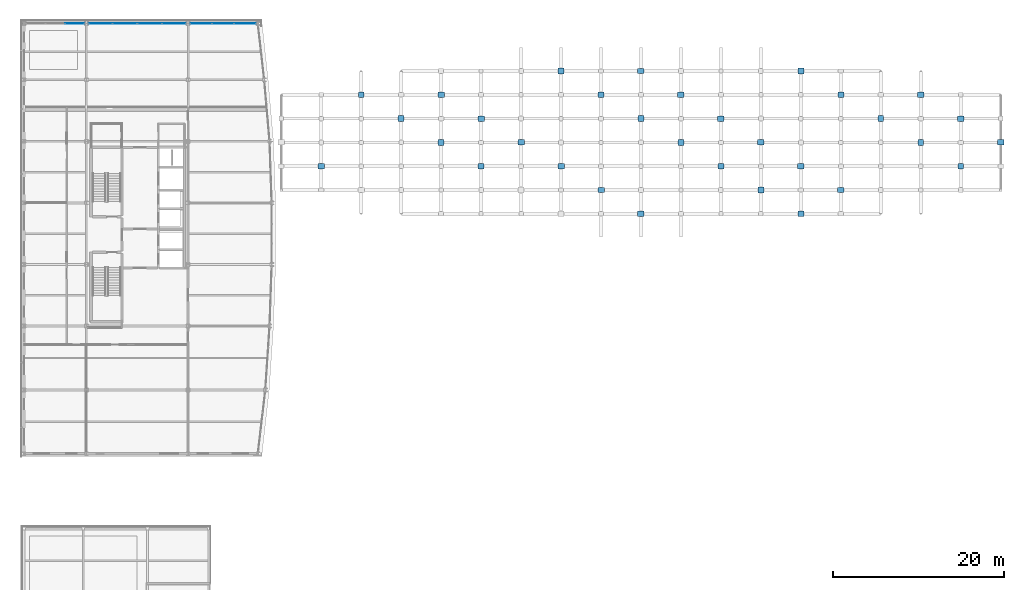
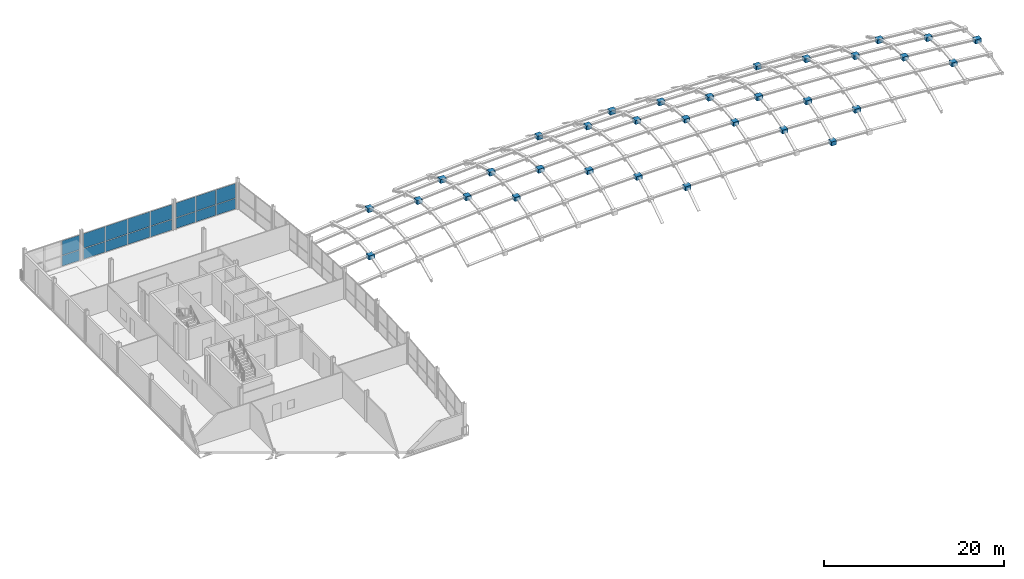
# One storey, part 21 of 36: 48 plates, 3 elements without a shape of their own.
"""IFC4 building model written with IfcOpenShell, lengths in metres."""

from ifc_helpers import new_model, si_unit, direction, frame, origin, origin_2d, place, context, subcontext, project, spatial, rectangle, extrude, material, layer, layer_set, type_object, element, aggregate, save


model = new_model("IFC4")

# Units and contexts
model_context = context("Model", 3, precision=1e-05, world=origin(), true_north=direction((0.0, 1.0)))
body_context = subcontext(model_context, "Body", "Model", "MODEL_VIEW")
ifc_project = project(units=[si_unit("LENGTHUNIT", "METRE"), si_unit("AREAUNIT", "SQUARE_METRE"), si_unit("VOLUMEUNIT", "CUBIC_METRE"), si_unit("PLANEANGLEUNIT", "RADIAN"), si_unit("MASSUNIT", "GRAM", prefix="KILO")], contexts=[model_context])

# Site, building, storey
site_placement = place(None, origin())
site = spatial("IfcSite", under=ifc_project, at=site_placement, CompositionType="ELEMENT")
building_placement = place(site_placement, origin())
building = spatial("IfcBuilding", under=site, at=building_placement, Name="Quillay Park Conservatory", CompositionType="ELEMENT")
storey_placement = place(building_placement, frame((0.0, 0.0, 18.300048828125)))
storey = spatial("IfcBuildingStorey", under=building, at=storey_placement, Name="L04", CompositionType="ELEMENT", Elevation=18.300048828125)

# Plates
ifc_material_1 = material(Name="Steel S355J2H", Category="steel")
ifc_layer_1 = layer(ifc_material_1, 0.0439453125)
ifc_layer_set_1 = layer_set([ifc_layer_1], Name="BOLTED GUSSET NODE PLATE GN04 (Steel S355J2H)")
plate_type_1 = type_object("IfcPlateType", Name="BOLTED GUSSET NODE PLATE GN04", PredefinedType="USERDEFINED", material=ifc_layer_set_1)
for number, where, z_axis, x_axis, name in (
    (1, (40.005615234375, 105.044921875, 0.5537109375), (0.0, 0.0, 1.0), (1.0, 0.0, 0.0), "Conservatory gridshell star node GN04 (2,7)"),
    (2, (44.683349609375, 102.260009765625, 1.7138671875), (0.0, 0.0, 1.0), (1.0, 0.0, 0.0), "Conservatory gridshell star node GN04 (3,6)"),
    (3, (49.361083984375, 99.47509765625, 2.2802734375), (0.0, 0.0, 1.0), (1.0, 0.0, 0.0), "Conservatory gridshell star node GN04 (4,5)"),
    (4, (54.038818359375, 96.68994140625, 2.2490234375), (0.0, 0.0, 1.0), (1.0, 0.0, 0.0), "Conservatory gridshell star node GN04 (5,4)"),
    (5, (63.394287109375, 107.830078125, 0.5419921875), (0.0, 0.0, 1.0), (1.0, 0.0, 0.0), "Conservatory gridshell star node GN04 (7,8)"),
    (6, (68.072265625, 105.044921875, 1.9521484375), (0.0, 0.0, 1.0), (1.0, 0.0, 0.0), "Conservatory gridshell star node GN04 (8,7)"),
    (7, (72.75, 102.260009765625, 2.7646484375), (0.0, 0.0, 1.0), (1.0, 0.0, 0.0), "Conservatory gridshell star node GN04 (9,6)"),
    (8, (77.427734375, 99.47509765625, 2.9794921875), (0.0, 0.0, 1.0), (1.0, 0.0, 0.0), "Conservatory gridshell star node GN04 (10,5)"),
    (9, (82.105712890625, 96.68994140625, 2.6005859375), (0.0, 0.0, 1.0), (1.0, 0.0, 0.0), "Conservatory gridshell star node GN04 (11,4)"),
    (10, (86.783203125, 93.905029296875, 1.6201171875), (0.0, 0.0, 1.0), (1.0, 0.0, 0.0), "Conservatory gridshell star node GN04 (12,3)"),
    (11, (91.461181640625, 91.1201171875, 0.0458984375), (0.0, 0.0, 1.0), (1.0, 0.0, 0.0), "Conservatory gridshell star node GN04 (13,2)"),
    (12, (91.461181640625, 107.830078125, 0.1904296875), (0.0, 0.0, 1.0), (1.0, 0.0, 0.0), "Conservatory gridshell star node GN04 (13,8)"),
    (13, (96.138916015625, 105.044921875, 1.2529296875), (0.0, 0.0, 1.0), (1.0, 0.0, 0.0), "Conservatory gridshell star node GN04 (14,7)"),
    (14, (100.816650390625, 102.260009765625, 1.7138671875), (0.0, 0.0, 1.0), (1.0, 0.0, 0.0), "Conservatory gridshell star node GN04 (15,6)"),
    (15, (105.494384765625, 99.47509765625, 1.5810546875), (0.0, 0.0, 1.0), (1.0, 0.0, 0.0), "Conservatory gridshell star node GN04 (16,5)"),
    (16, (110.172119140625, 96.68994140625, 0.8505859375), (0.0, 0.0, 1.0), (1.0, 0.0, 0.0), "Conservatory gridshell star node GN04 (17,4)"),
):
    element("IfcPlate", number, at=place(storey_placement, frame(where, z_axis=z_axis, x_axis=x_axis)), inside=storey, type_object=plate_type_1, Name=name, ObjectType="GUSSET PLATE", PredefinedType="USERDEFINED", context=body_context, shape_type="SweptSolid", body=[
        extrude(rectangle(XDim=0.679931640625, YDim=0.679931640625, at=origin_2d()), origin(), (0.0, 0.0, 1.0), 0.5400390625),
    ])
ifc_material_2 = material(Name="Steel S355J2H", Category="steel")
ifc_layer_2 = layer(ifc_material_2, 0.052001953125)
ifc_layer_set_2 = layer_set([ifc_layer_2], Name="BOLTED GUSSET NODE PLATE GN06 (Steel S355J2H)")
plate_type_2 = type_object("IfcPlateType", Name="BOLTED GUSSET NODE PLATE GN06", PredefinedType="USERDEFINED", material=ifc_layer_set_2)
for number, where, z_axis, x_axis, name in (
    (17, (35.327880859375, 96.68994140625, 0.8505859375), (0.0, 0.0, 1.0), (1.0, 0.0, 0.0), "Conservatory gridshell star node GN06 (1,4)"),
    (18, (49.361083984375, 105.044921875, 1.2529296875), (0.0, 0.0, 1.0), (1.0, 0.0, 0.0), "Conservatory gridshell star node GN06 (4,7)"),
    (19, (54.038818359375, 102.260009765625, 2.2958984375), (0.0, 0.0, 1.0), (1.0, 0.0, 0.0), "Conservatory gridshell star node GN06 (5,6)"),
    (20, (58.716796875, 99.47509765625, 2.7451171875), (0.0, 0.0, 1.0), (1.0, 0.0, 0.0), "Conservatory gridshell star node GN06 (6,5)"),
    (21, (63.394287109375, 96.68994140625, 2.6005859375), (0.0, 0.0, 1.0), (1.0, 0.0, 0.0), "Conservatory gridshell star node GN06 (7,4)"),
    (22, (68.072265625, 93.905029296875, 1.8544921875), (0.0, 0.0, 1.0), (1.0, 0.0, 0.0), "Conservatory gridshell star node GN06 (8,3)"),
    (23, (72.75, 91.1201171875, 0.5146484375), (0.0, 0.0, 1.0), (1.0, 0.0, 0.0), "Conservatory gridshell star node GN06 (9,2)"),
    (24, (72.75, 107.830078125, 0.6591796875), (0.0, 0.0, 1.0), (1.0, 0.0, 0.0), "Conservatory gridshell star node GN06 (9,8)"),
    (25, (77.427734375, 105.044921875, 1.9521484375), (0.0, 0.0, 1.0), (1.0, 0.0, 0.0), "Conservatory gridshell star node GN06 (10,7)"),
    (26, (82.105712890625, 102.260009765625, 2.6474609375), (0.0, 0.0, 1.0), (1.0, 0.0, 0.0), "Conservatory gridshell star node GN06 (11,6)"),
    (27, (86.783203125, 99.47509765625, 2.7451171875), (0.0, 0.0, 1.0), (1.0, 0.0, 0.0), "Conservatory gridshell star node GN06 (12,5)"),
    (28, (91.461181640625, 96.68994140625, 2.2490234375), (0.0, 0.0, 1.0), (1.0, 0.0, 0.0), "Conservatory gridshell star node GN06 (13,4)"),
    (29, (96.138916015625, 93.905029296875, 1.1552734375), (0.0, 0.0, 1.0), (1.0, 0.0, 0.0), "Conservatory gridshell star node GN06 (14,3)"),
    (30, (105.494384765625, 105.044921875, 0.5537109375), (0.0, 0.0, 1.0), (1.0, 0.0, 0.0), "Conservatory gridshell star node GN06 (16,7)"),
    (31, (110.172119140625, 102.260009765625, 0.8974609375), (0.0, 0.0, 1.0), (1.0, 0.0, 0.0), "Conservatory gridshell star node GN06 (17,6)"),
    (32, (114.85009765625, 99.47509765625, 0.6474609375), (0.0, 0.0, 1.0), (1.0, 0.0, 0.0), "Conservatory gridshell star node GN06 (18,5)"),
):
    element("IfcPlate", number, at=place(storey_placement, frame(where, z_axis=z_axis, x_axis=x_axis)), inside=storey, type_object=plate_type_2, Name=name, ObjectType="GUSSET PLATE", PredefinedType="USERDEFINED", context=body_context, shape_type="SweptSolid", body=[
        extrude(rectangle(XDim=0.760009765625, YDim=0.639892578125, at=origin_2d()), origin(), (0.0, 0.0, 1.0), 0.5400390625),
    ])

# Curtain wall, plates
ifc_material_3 = material(Name="Thermally Broken Anodised Aluminium 6063-T6", Category="aluminium")
ifc_layer_3 = layer(ifc_material_3, 0.179931640625)
ifc_layer_set_3 = layer_set([ifc_layer_3], Name="UNITISED CURTAIN WALL TOWER (Thermally Broken Anodised Aluminium 6063-T6)")
curtain_wall_type = type_object("IfcCurtainWallType", Name="UNITISED CURTAIN WALL TOWER", PredefinedType="USERDEFINED", material=ifc_layer_set_3)
curtain_wall_1_placement = place(storey_placement, origin())
curtain_wall_1 = element("IfcCurtainWall", 33, at=curtain_wall_1_placement, inside=storey, type_object=curtain_wall_type, Name="L04 Unitised Curtain Wall 045", ObjectType="UNITISED CURTAIN WALL", PredefinedType="USERDEFINED")
ifc_material_4 = material(Name="Low-E Double Glazing (Laminated Tempered)", Category="glass")
ifc_layer_4 = layer(ifc_material_4, 0.028076171875)
ifc_layer_set_4 = layer_set([ifc_layer_4], Name="CURTAIN WALL GLAZED PANEL 28 (Low-E Double Glazing (Laminated Tempered))")
plate_type_3 = type_object("IfcPlateType", Name="CURTAIN WALL GLAZED PANEL 28", PredefinedType="CURTAIN_PANEL", material=ifc_layer_set_4)
plate_1_placement = place(storey_placement, frame((6.482421875, 113.39990234375, 0.06982421875), z_axis=(0.0, 0.0, 1.0), x_axis=(1.0, 0.0, 0.0)))
plate_1 = element("IfcPlate", 34, at=plate_1_placement, type_object=plate_type_3, Name="CW-T1 panel 3.1", PredefinedType="CURTAIN_PANEL", context=body_context, shape_type="SweptSolid", body=[
    extrude(rectangle(XDim=2.195068359375, YDim=0.028076171875, at=origin_2d()), origin(), (0.0, 0.0, 1.0), 1.406494140625),
])
plate_2_placement = place(storey_placement, frame((6.482421875, 113.39990234375, 1.546630859375), z_axis=(0.0, 0.0, 1.0), x_axis=(1.0, 0.0, 0.0)))
plate_2 = element("IfcPlate", 35, at=plate_2_placement, type_object=plate_type_3, Name="CW-T1 panel 3.2", PredefinedType="CURTAIN_PANEL", context=body_context, shape_type="SweptSolid", body=[
    extrude(rectangle(XDim=2.195068359375, YDim=0.028076171875, at=origin_2d()), origin(), (0.0, 0.0, 1.0), 1.982421875),
])
aggregate(curtain_wall_1, [plate_1, plate_2])

curtain_wall_2_placement = place(storey_placement, origin())
curtain_wall_2 = element("IfcCurtainWall", 36, at=curtain_wall_2_placement, inside=storey, type_object=curtain_wall_type, Name="L04 Unitised Curtain Wall 046", ObjectType="UNITISED CURTAIN WALL", PredefinedType="USERDEFINED")
plate_3_placement = place(storey_placement, frame((9.5048828125, 113.39990234375, 0.06982421875), z_axis=(0.0, 0.0, 1.0), x_axis=(1.0, 0.0, 0.0)))
plate_3 = element("IfcPlate", 37, at=plate_3_placement, type_object=plate_type_3, Name="CW-T1 panel 1.1", PredefinedType="CURTAIN_PANEL", context=body_context, shape_type="SweptSolid", body=[
    extrude(rectangle(XDim=2.77001953125, YDim=0.028076171875, at=origin_2d()), origin(), (0.0, 0.0, 1.0), 1.406494140625),
])
plate_4_placement = place(storey_placement, frame((9.5048828125, 113.39990234375, 1.546630859375), z_axis=(0.0, 0.0, 1.0), x_axis=(1.0, 0.0, 0.0)))
plate_4 = element("IfcPlate", 38, at=plate_4_placement, type_object=plate_type_3, Name="CW-T1 panel 1.2", PredefinedType="CURTAIN_PANEL", context=body_context, shape_type="SweptSolid", body=[
    extrude(rectangle(XDim=2.77001953125, YDim=0.028076171875, at=origin_2d()), origin(), (0.0, 0.0, 1.0), 1.982421875),
])
plate_5_placement = place(storey_placement, frame((12.362548828125, 113.39990234375, 0.06982421875), z_axis=(0.0, 0.0, 1.0), x_axis=(1.0, 0.0, 0.0)))
plate_5 = element("IfcPlate", 39, at=plate_5_placement, type_object=plate_type_3, Name="CW-T1 panel 2.1", PredefinedType="CURTAIN_PANEL", context=body_context, shape_type="SweptSolid", body=[
    extrude(rectangle(XDim=2.804931640625, YDim=0.028076171875, at=origin_2d()), origin(), (0.0, 0.0, 1.0), 1.406494140625),
])
plate_6_placement = place(storey_placement, frame((12.362548828125, 113.39990234375, 1.546630859375), z_axis=(0.0, 0.0, 1.0), x_axis=(1.0, 0.0, 0.0)))
plate_6 = element("IfcPlate", 40, at=plate_6_placement, type_object=plate_type_3, Name="CW-T1 panel 2.2", PredefinedType="CURTAIN_PANEL", context=body_context, shape_type="SweptSolid", body=[
    extrude(rectangle(XDim=2.804931640625, YDim=0.028076171875, at=origin_2d()), origin(), (0.0, 0.0, 1.0), 1.982421875),
])
plate_7_placement = place(storey_placement, frame((15.237548828125, 113.39990234375, 0.06982421875), z_axis=(0.0, 0.0, 1.0), x_axis=(1.0, 0.0, 0.0)))
plate_7 = element("IfcPlate", 41, at=plate_7_placement, type_object=plate_type_3, Name="CW-T1 panel 3.1", PredefinedType="CURTAIN_PANEL", context=body_context, shape_type="SweptSolid", body=[
    extrude(rectangle(XDim=2.804931640625, YDim=0.028076171875, at=origin_2d()), origin(), (0.0, 0.0, 1.0), 1.406494140625),
])
plate_8_placement = place(storey_placement, frame((15.237548828125, 113.39990234375, 1.546630859375), z_axis=(0.0, 0.0, 1.0), x_axis=(1.0, 0.0, 0.0)))
plate_8 = element("IfcPlate", 42, at=plate_8_placement, type_object=plate_type_3, Name="CW-T1 panel 3.2", PredefinedType="CURTAIN_PANEL", context=body_context, shape_type="SweptSolid", body=[
    extrude(rectangle(XDim=2.804931640625, YDim=0.028076171875, at=origin_2d()), origin(), (0.0, 0.0, 1.0), 1.982421875),
])
plate_9_placement = place(storey_placement, frame((18.094970703125, 113.39990234375, 0.06982421875), z_axis=(0.0, 0.0, 1.0), x_axis=(1.0, 0.0, 0.0)))
plate_9 = element("IfcPlate", 43, at=plate_9_placement, type_object=plate_type_3, Name="CW-T1 panel 4.1", PredefinedType="CURTAIN_PANEL", context=body_context, shape_type="SweptSolid", body=[
    extrude(rectangle(XDim=2.77001953125, YDim=0.028076171875, at=origin_2d()), origin(), (0.0, 0.0, 1.0), 1.406494140625),
])
plate_10_placement = place(storey_placement, frame((18.094970703125, 113.39990234375, 1.546630859375), z_axis=(0.0, 0.0, 1.0), x_axis=(1.0, 0.0, 0.0)))
plate_10 = element("IfcPlate", 44, at=plate_10_placement, type_object=plate_type_3, Name="CW-T1 panel 4.2", PredefinedType="CURTAIN_PANEL", context=body_context, shape_type="SweptSolid", body=[
    extrude(rectangle(XDim=2.77001953125, YDim=0.028076171875, at=origin_2d()), origin(), (0.0, 0.0, 1.0), 1.982421875),
])
aggregate(curtain_wall_2, [plate_3, plate_4, plate_5, plate_6, plate_7, plate_8, plate_9, plate_10])

curtain_wall_3_placement = place(storey_placement, origin())
curtain_wall_3 = element("IfcCurtainWall", 45, at=curtain_wall_3_placement, inside=storey, type_object=curtain_wall_type, Name="L04 Unitised Curtain Wall 047", ObjectType="UNITISED CURTAIN WALL", PredefinedType="USERDEFINED")
plate_11_placement = place(storey_placement, frame((21.263427734375, 113.39990234375, 0.06982421875), z_axis=(0.0, 0.0, 1.0), x_axis=(1.0, 0.0, 0.0)))
plate_11 = element("IfcPlate", 46, at=plate_11_placement, type_object=plate_type_3, Name="CW-T1 panel 1.1", PredefinedType="CURTAIN_PANEL", context=body_context, shape_type="SweptSolid", body=[
    extrude(rectangle(XDim=2.486572265625, YDim=0.028076171875, at=origin_2d()), origin(), (0.0, 0.0, 1.0), 1.406494140625),
])
plate_12_placement = place(storey_placement, frame((21.263427734375, 113.39990234375, 1.546630859375), z_axis=(0.0, 0.0, 1.0), x_axis=(1.0, 0.0, 0.0)))
plate_12 = element("IfcPlate", 47, at=plate_12_placement, type_object=plate_type_3, Name="CW-T1 panel 1.2", PredefinedType="CURTAIN_PANEL", context=body_context, shape_type="SweptSolid", body=[
    extrude(rectangle(XDim=2.486572265625, YDim=0.028076171875, at=origin_2d()), origin(), (0.0, 0.0, 1.0), 1.982421875),
])
plate_13_placement = place(storey_placement, frame((23.83740234375, 113.39990234375, 0.06982421875), z_axis=(0.0, 0.0, 1.0), x_axis=(1.0, 0.0, 0.0)))
plate_13 = element("IfcPlate", 48, at=plate_13_placement, type_object=plate_type_3, Name="CW-T1 panel 2.1", PredefinedType="CURTAIN_PANEL", context=body_context, shape_type="SweptSolid", body=[
    extrude(rectangle(XDim=2.521728515625, YDim=0.028076171875, at=origin_2d()), origin(), (0.0, 0.0, 1.0), 1.406494140625),
])
plate_14_placement = place(storey_placement, frame((23.83740234375, 113.39990234375, 1.546630859375), z_axis=(0.0, 0.0, 1.0), x_axis=(1.0, 0.0, 0.0)))
plate_14 = element("IfcPlate", 49, at=plate_14_placement, type_object=plate_type_3, Name="CW-T1 panel 2.2", PredefinedType="CURTAIN_PANEL", context=body_context, shape_type="SweptSolid", body=[
    extrude(rectangle(XDim=2.521728515625, YDim=0.028076171875, at=origin_2d()), origin(), (0.0, 0.0, 1.0), 1.982421875),
])
plate_15_placement = place(storey_placement, frame((26.41162109375, 113.39990234375, 0.06982421875), z_axis=(0.0, 0.0, 1.0), x_axis=(1.0, 0.0, 0.0)))
plate_15 = element("IfcPlate", 50, at=plate_15_placement, type_object=plate_type_3, Name="CW-T1 panel 3.1", PredefinedType="CURTAIN_PANEL", context=body_context, shape_type="SweptSolid", body=[
    extrude(rectangle(XDim=2.486572265625, YDim=0.028076171875, at=origin_2d()), origin(), (0.0, 0.0, 1.0), 1.406494140625),
])
plate_16_placement = place(storey_placement, frame((26.41162109375, 113.39990234375, 1.546630859375), z_axis=(0.0, 0.0, 1.0), x_axis=(1.0, 0.0, 0.0)))
plate_16 = element("IfcPlate", 51, at=plate_16_placement, type_object=plate_type_3, Name="CW-T1 panel 3.2", PredefinedType="CURTAIN_PANEL", context=body_context, shape_type="SweptSolid", body=[
    extrude(rectangle(XDim=2.486572265625, YDim=0.028076171875, at=origin_2d()), origin(), (0.0, 0.0, 1.0), 1.982421875),
])
aggregate(curtain_wall_3, [plate_11, plate_12, plate_13, plate_14, plate_15, plate_16])

save(model, "model.ifc")
